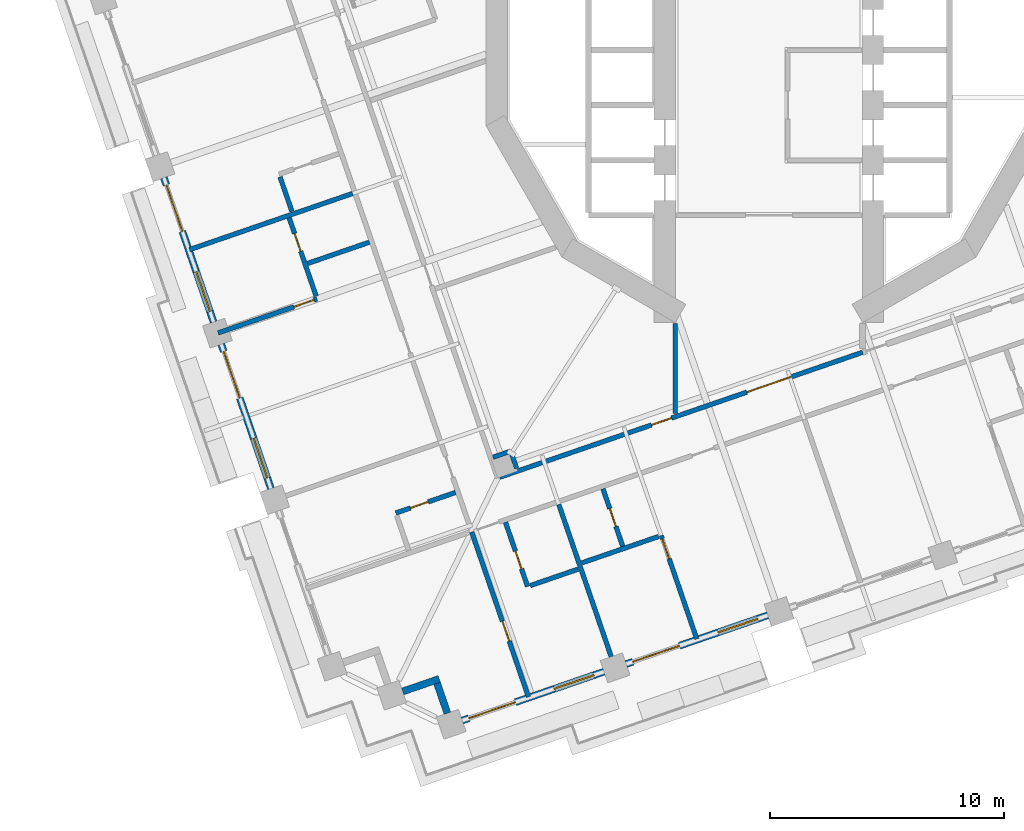
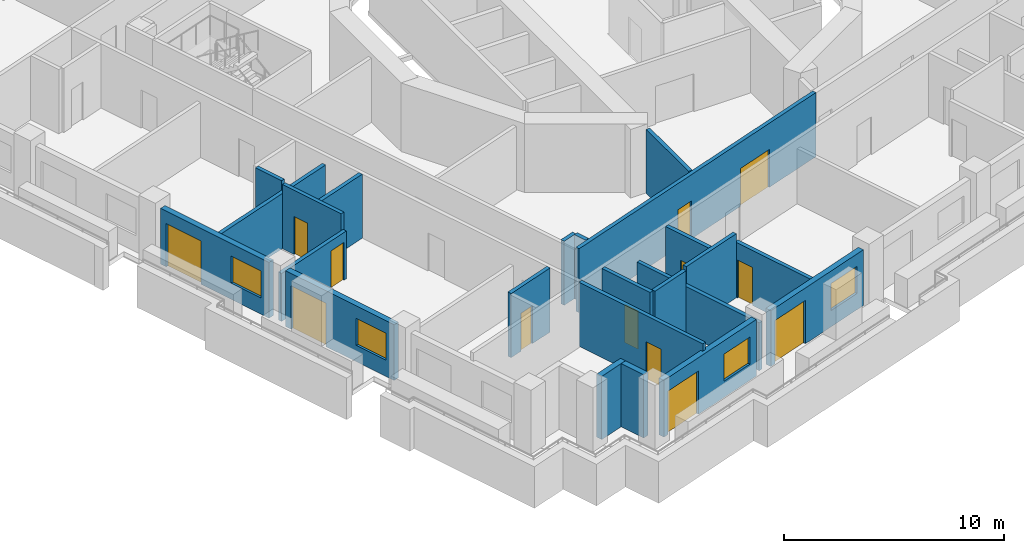
# One storey, part 4 of 18: 23 walls, 13 doors, 4 windows, 17 openings.
"""IFC4 building model written with IfcOpenShell, lengths in metres."""

from ifc_helpers import new_model, si_unit, direction, frame, frame_2d, origin, place, context, subcontext, project, spatial, rectangle, extrude, material, layer, layer_set, type_object, element, fill, save


model = new_model("IFC4")

# Units and contexts
model_context = context("Model", 3, precision=1e-05, world=origin(), true_north=direction((0.0, 1.0)))
body_context = subcontext(model_context, "Body", "Model", "MODEL_VIEW")
ifc_project = project(units=[si_unit("LENGTHUNIT", "METRE"), si_unit("AREAUNIT", "SQUARE_METRE"), si_unit("VOLUMEUNIT", "CUBIC_METRE"), si_unit("PLANEANGLEUNIT", "RADIAN"), si_unit("MASSUNIT", "GRAM", prefix="KILO")], contexts=[model_context])

# Site, building, storey
site_placement = place(None, origin())
site = spatial("IfcSite", under=ifc_project, at=site_placement, CompositionType="ELEMENT")
building_placement = place(site_placement, origin())
building = spatial("IfcBuilding", under=site, at=building_placement, Name="Cantera Rosa Tower", CompositionType="ELEMENT")
storey_placement = place(building_placement, frame((0.0, 0.0, 134.5)))
storey = spatial("IfcBuildingStorey", under=building, at=storey_placement, Name="L28", CompositionType="ELEMENT", Elevation=134.5)

# Wall, openings, doors
ifc_material_1 = material(Name="Gypsum board partition")
ifc_layer_1 = layer(ifc_material_1, 0.199951171875)
ifc_layer_set_1 = layer_set([ifc_layer_1], Name="CORRIDOR WALL 200 H3550")
wall_type_1 = type_object("IfcWallType", Name="CORRIDOR WALL 200 H3550", PredefinedType="PARTITIONING", material=ifc_layer_set_1)
wall_1_placement = place(storey_placement, frame((-11.489501953125, -18.23388671875, 0.0), z_axis=(0.0, 0.0, 1.0), x_axis=(0.945522545762, 0.325556624039, 0.0)))
wall_1 = element("IfcWall", 1, at=wall_1_placement, inside=storey, type_object=wall_type_1, Name="CORRIDOR WALL L28-031", PredefinedType="PARTITIONING", context=body_context, shape_type="SweptSolid", body=[
    extrude(rectangle(XDim=16.3818359375, YDim=0.199951171875, at=frame_2d((8.19091796875, 0.0))), origin(), (0.0, 0.0, 1.0), 3.550048828125),
])
opening_1_placement = place(wall_1_placement, frame((6.850830078125, 0.0, 0.0)))
opening_1 = element("IfcOpeningElement", 2, at=opening_1_placement, cuts=wall_1, Name="Opening L28-007", PredefinedType="OPENING", context=body_context, shape_type="SweptSolid", body=[
    extrude(rectangle(XDim=0.89990234375, YDim=2.10009765625, at=frame_2d((0.449951171875, 1.050048828125))), frame((0.0, 0.10986328125, 0.0), z_axis=(0.0, -1.0, 0.0), x_axis=(1.0, 0.0, 0.0)), (0.0, 0.0, 1.0), 0.219970703125),
])
opening_2_placement = place(wall_1_placement, frame((11.151611328125, 0.0, 0.0)))
opening_2 = element("IfcOpeningElement", 3, at=opening_2_placement, cuts=wall_1, Name="Opening L28-012", PredefinedType="OPENING", context=body_context, shape_type="SweptSolid", body=[
    extrude(rectangle(XDim=2.0, YDim=2.10009765625, at=frame_2d((1.0, 1.050048828125))), frame((0.0, 0.10986328125, 0.0), z_axis=(0.0, -1.0, 0.0), x_axis=(1.0, 0.0, 0.0)), (0.0, 0.0, 1.0), 0.219970703125),
])
ifc_material_2 = material(Name="Steel S355J2 (EN 10025-2)", Category="steel")
door_type_1 = type_object("IfcDoorType", Name="LOBBY SCREEN DOOR 2000x2100", OperationType="NOTDEFINED", PredefinedType="DOOR", material=ifc_material_2)
door_1_placement = place(opening_2_placement, origin())
door_1 = element("IfcDoor", 4, at=door_1_placement, inside=storey, type_object=door_type_1, Name="DOOR L28-012", OperationType="NOTDEFINED", OverallHeight=2.10009765625, OverallWidth=2.0, PredefinedType="DOOR", context=body_context, shape_type="SweptSolid", body=[
    extrude(rectangle(XDim=2.0, YDim=2.10009765625, at=frame_2d((1.0, 1.050048828125))), frame((0.0, 0.02490234375, 0.0), z_axis=(0.0, -1.0, 0.0), x_axis=(1.0, 0.0, 0.0)), (0.0, 0.0, 1.0), 0.050048828125),
])
fill(opening_2, door_1)
ifc_material_3 = material(Name="Timber door leaf", Category="wood")
door_type_2 = type_object("IfcDoorType", Name="SERVICE DOOR 900x2100", OperationType="NOTDEFINED", PredefinedType="DOOR", material=ifc_material_3)
door_2_placement = place(opening_1_placement, origin())
door_2 = element("IfcDoor", 5, at=door_2_placement, inside=storey, type_object=door_type_2, Name="DOOR L28-007", OperationType="NOTDEFINED", OverallHeight=2.10009765625, OverallWidth=0.89990234375, PredefinedType="DOOR", context=body_context, shape_type="SweptSolid", body=[
    extrude(rectangle(XDim=0.89990234375, YDim=2.10009765625, at=frame_2d((0.449951171875, 1.050048828125))), frame((0.0, 0.02490234375, 0.0), z_axis=(0.0, -1.0, 0.0), x_axis=(1.0, 0.0, 0.0)), (0.0, 0.0, 1.0), 0.050048828125),
])
fill(opening_1, door_2)

# Walls
wall_2_placement = place(storey_placement, frame((-4.0, -11.667236328125, 0.0), z_axis=(0.0, 0.0, 1.0), x_axis=(0.0, -1.0, 0.0)))
element("IfcWall", 6, at=wall_2_placement, inside=storey, type_object=wall_type_1, Name="CORRIDOR WALL L28-049", PredefinedType="PARTITIONING", context=body_context, shape_type="SweptSolid", body=[
    extrude(rectangle(XDim=3.847900390625, YDim=0.199951171875, at=frame_2d((1.923828125, 0.0))), origin(), (0.0, 0.0, 1.0), 3.550048828125),
])
ifc_material_4 = material(Name="Hollow clay masonry with cantera stone cladding", Category="masonry")
ifc_layer_2 = layer(ifc_material_4, 0.300048828125)
ifc_layer_set_2 = layer_set([ifc_layer_2], Name="EW-LOGGIA 300")
wall_type_2 = type_object("IfcWallType", Name="EW-LOGGIA 300", PredefinedType="SOLIDWALL", material=ifc_layer_set_2)
wall_3_placement = place(storey_placement, frame((-15.636962890625, -27.3828125, 0.0), z_axis=(0.0, 0.0, 1.0), x_axis=(0.945484566827, 0.325666906351, 0.0)))
element("IfcWall", 7, at=wall_3_placement, inside=storey, type_object=wall_type_2, Name="EN-L28-W22a", PredefinedType="SOLIDWALL", context=body_context, shape_type="SweptSolid", body=[
    extrude(rectangle(XDim=1.64990234375, YDim=0.300048828125, at=frame_2d((0.824951171875, 0.0))), origin(), (0.0, 0.0, 1.0), 3.5),
])
wall_4_placement = place(storey_placement, frame((-14.169921875, -27.0361328125, 0.0), z_axis=(0.0, 0.0, 1.0), x_axis=(0.325650742363, -0.945490134268, 0.0)))
element("IfcWall", 8, at=wall_4_placement, inside=storey, type_object=wall_type_2, Name="EN-L28-W22b", PredefinedType="SOLIDWALL", context=body_context, shape_type="SweptSolid", body=[
    extrude(rectangle(XDim=1.35009765625, YDim=0.300048828125, at=frame_2d((0.675048828125, 0.0))), origin(), (0.0, 0.0, 1.0), 3.5),
])

# Wall, openings, window, door
ifc_material_5 = material(Name="Hollow clay masonry with cantera stone cladding", Category="masonry")
ifc_layer_3 = layer(ifc_material_5, 0.300048828125)
ifc_layer_set_3 = layer_set([ifc_layer_3], Name="EW-LOGGIA 300 H3090")
wall_type_3 = type_object("IfcWallType", Name="EW-LOGGIA 300 H3090", PredefinedType="SOLIDWALL", material=ifc_layer_set_3)
wall_5_placement = place(storey_placement, frame((-25.833984375, -5.447509765625, 0.0), z_axis=(0.0, 0.0, 1.0), x_axis=(0.325580990241, -0.945514155787, 0.0)))
wall_5 = element("IfcWall", 9, at=wall_5_placement, inside=storey, type_object=wall_type_3, Name="EN-L28-W18", PredefinedType="SOLIDWALL", context=body_context, shape_type="SweptSolid", body=[
    extrude(rectangle(XDim=6.52001953125, YDim=0.300048828125, at=frame_2d((3.260009765625, 0.0))), origin(), (0.0, 0.0, 1.0), 3.090087890625),
])
opening_3_placement = place(wall_5_placement, frame((0.330078125, 0.0, 0.0)))
opening_3 = element("IfcOpeningElement", 10, at=opening_3_placement, cuts=wall_5, Name="Opening L28-TD23", PredefinedType="OPENING", context=body_context, shape_type="SweptSolid", body=[
    extrude(rectangle(XDim=2.10009765625, YDim=2.39990234375, at=frame_2d((1.050048828125, 1.199951171875))), frame((0.0, 0.159912109375, 0.0), z_axis=(0.0, -1.0, 0.0), x_axis=(1.0, 0.0, 0.0)), (0.0, 0.0, 1.0), 0.320068359375),
])
opening_4_placement = place(wall_5_placement, frame((4.239990234375, 0.0, 0.89990234375)))
opening_4 = element("IfcOpeningElement", 11, at=opening_4_placement, cuts=wall_5, Name="Opening L28-W24", PredefinedType="OPENING", context=body_context, shape_type="SweptSolid", body=[
    extrude(rectangle(XDim=1.800048828125, YDim=1.5, at=frame_2d((0.89990234375, 0.75))), frame((0.0, 0.159912109375, 0.0), z_axis=(0.0, -1.0, 0.0), x_axis=(1.0, 0.0, 0.0)), (0.0, 0.0, 1.0), 0.320068359375),
])
ifc_material_6 = material(Name="Aluminium frame with clear glass", Category="aluminium")
window_type = type_object("IfcWindowType", Name="Hotel room window 1800x1500", PartitioningType="DOUBLE_PANEL_VERTICAL", PredefinedType="WINDOW", material=ifc_material_6)
window_1_placement = place(opening_4_placement, origin())
window_1 = element("IfcWindow", 12, at=window_1_placement, inside=storey, type_object=window_type, Name="WINDOW L28-W24", OverallHeight=1.5, OverallWidth=1.800048828125, PartitioningType="SINGLE_PANEL", PredefinedType="WINDOW", context=body_context, shape_type="SweptSolid", body=[
    extrude(rectangle(XDim=1.800048828125, YDim=1.5, at=frame_2d((0.89990234375, 0.75))), frame((0.0, 0.030029296875, 0.0), z_axis=(0.0, -1.0, 0.0), x_axis=(1.0, 0.0, 0.0)), (0.0, 0.0, 1.0), 0.06005859375),
])
fill(opening_4, window_1)
ifc_material_7 = material(Name="Aluminium frame with clear glass", Category="aluminium")
door_type_3 = type_object("IfcDoorType", Name="TD-H 2100x2400", OperationType="NOTDEFINED", PredefinedType="DOOR", material=ifc_material_7)
door_3_placement = place(opening_3_placement, origin())
door_3 = element("IfcDoor", 13, at=door_3_placement, inside=storey, type_object=door_type_3, Name="LOGGIA DOOR L28-TD23", OperationType="SLIDING_TO_LEFT", OverallHeight=2.39990234375, OverallWidth=2.10009765625, PredefinedType="DOOR", context=body_context, shape_type="SweptSolid", body=[
    extrude(rectangle(XDim=2.10009765625, YDim=2.39990234375, at=frame_2d((1.050048828125, 1.199951171875))), frame((0.0, 0.02490234375, 0.0), z_axis=(0.0, -1.0, 0.0), x_axis=(1.0, 0.0, 0.0)), (0.0, 0.0, 1.0), 0.050048828125),
])
fill(opening_3, door_3)

wall_6_placement = place(storey_placement, frame((-23.3857421875, -12.557861328125, 0.0), z_axis=(0.0, 0.0, 1.0), x_axis=(0.325580990241, -0.945514155787, 0.0)))
wall_6 = element("IfcWall", 14, at=wall_6_placement, inside=storey, type_object=wall_type_3, Name="EN-L28-W19", PredefinedType="SOLIDWALL", context=body_context, shape_type="SweptSolid", body=[
    extrude(rectangle(XDim=6.52001953125, YDim=0.300048828125, at=frame_2d((3.260009765625, 0.0))), origin(), (0.0, 0.0, 1.0), 3.090087890625),
])
opening_5_placement = place(wall_6_placement, frame((0.330078125, 0.0, 0.0)))
opening_5 = element("IfcOpeningElement", 15, at=opening_5_placement, cuts=wall_6, Name="Opening L28-TD25", PredefinedType="OPENING", context=body_context, shape_type="SweptSolid", body=[
    extrude(rectangle(XDim=2.10009765625, YDim=2.39990234375, at=frame_2d((1.050048828125, 1.199951171875))), frame((0.0, 0.159912109375, 0.0), z_axis=(0.0, -1.0, 0.0), x_axis=(1.0, 0.0, 0.0)), (0.0, 0.0, 1.0), 0.320068359375),
])
opening_6_placement = place(wall_6_placement, frame((4.239990234375, 0.0, 0.89990234375)))
opening_6 = element("IfcOpeningElement", 16, at=opening_6_placement, cuts=wall_6, Name="Opening L28-W26", PredefinedType="OPENING", context=body_context, shape_type="SweptSolid", body=[
    extrude(rectangle(XDim=1.800048828125, YDim=1.5, at=frame_2d((0.89990234375, 0.75))), frame((0.0, 0.159912109375, 0.0), z_axis=(0.0, -1.0, 0.0), x_axis=(1.0, 0.0, 0.0)), (0.0, 0.0, 1.0), 0.320068359375),
])
window_2_placement = place(opening_6_placement, origin())
window_2 = element("IfcWindow", 17, at=window_2_placement, inside=storey, type_object=window_type, Name="WINDOW L28-W26", OverallHeight=1.5, OverallWidth=1.800048828125, PartitioningType="SINGLE_PANEL", PredefinedType="WINDOW", context=body_context, shape_type="SweptSolid", body=[
    extrude(rectangle(XDim=1.800048828125, YDim=1.5, at=frame_2d((0.89990234375, 0.75))), frame((0.0, 0.030029296875, 0.0), z_axis=(0.0, -1.0, 0.0), x_axis=(1.0, 0.0, 0.0)), (0.0, 0.0, 1.0), 0.06005859375),
])
fill(opening_6, window_2)
door_4_placement = place(opening_5_placement, origin())
door_4 = element("IfcDoor", 18, at=door_4_placement, inside=storey, type_object=door_type_3, Name="LOGGIA DOOR L28-TD25", OperationType="SLIDING_TO_LEFT", OverallHeight=2.39990234375, OverallWidth=2.10009765625, PredefinedType="DOOR", context=body_context, shape_type="SweptSolid", body=[
    extrude(rectangle(XDim=2.10009765625, YDim=2.39990234375, at=frame_2d((1.050048828125, 1.199951171875))), frame((0.0, 0.02490234375, 0.0), z_axis=(0.0, -1.0, 0.0), x_axis=(1.0, 0.0, 0.0)), (0.0, 0.0, 1.0), 0.050048828125),
])
fill(opening_5, door_4)

wall_7_placement = place(storey_placement, frame((-6.097900390625, -26.21337890625, 0.0), z_axis=(0.0, 0.0, 1.0), x_axis=(0.945524496524, 0.325550958337, 0.0)))
wall_7 = element("IfcWall", 19, at=wall_7_placement, inside=storey, type_object=wall_type_3, Name="EN-L28-W24", PredefinedType="SOLIDWALL", context=body_context, shape_type="SweptSolid", body=[
    extrude(rectangle(XDim=6.39990234375, YDim=0.300048828125, at=frame_2d((3.199951171875, 0.0))), origin(), (0.0, 0.0, 1.0), 3.090087890625),
])
opening_7_placement = place(wall_7_placement, frame((0.300048828125, 0.0, 0.0)))
opening_7 = element("IfcOpeningElement", 20, at=opening_7_placement, cuts=wall_7, Name="Opening L28-TD31", PredefinedType="OPENING", context=body_context, shape_type="SweptSolid", body=[
    extrude(rectangle(XDim=2.10009765625, YDim=2.39990234375, at=frame_2d((1.050048828125, 1.199951171875))), frame((0.0, 0.159912109375, 0.0), z_axis=(0.0, -1.0, 0.0), x_axis=(1.0, 0.0, 0.0)), (0.0, 0.0, 1.0), 0.320068359375),
])
opening_8_placement = place(wall_7_placement, frame((4.14990234375, 0.0, 0.89990234375)))
opening_8 = element("IfcOpeningElement", 21, at=opening_8_placement, cuts=wall_7, Name="Opening L28-W32", PredefinedType="OPENING", context=body_context, shape_type="SweptSolid", body=[
    extrude(rectangle(XDim=1.800048828125, YDim=1.5, at=frame_2d((0.89990234375, 0.75))), frame((0.0, 0.159912109375, 0.0), z_axis=(0.0, -1.0, 0.0), x_axis=(1.0, 0.0, 0.0)), (0.0, 0.0, 1.0), 0.320068359375),
])
window_3_placement = place(opening_8_placement, origin())
window_3 = element("IfcWindow", 22, at=window_3_placement, inside=storey, type_object=window_type, Name="WINDOW L28-W32", OverallHeight=1.5, OverallWidth=1.800048828125, PartitioningType="SINGLE_PANEL", PredefinedType="WINDOW", context=body_context, shape_type="SweptSolid", body=[
    extrude(rectangle(XDim=1.800048828125, YDim=1.5, at=frame_2d((0.89990234375, 0.75))), frame((0.0, 0.030029296875, 0.0), z_axis=(0.0, -1.0, 0.0), x_axis=(1.0, 0.0, 0.0)), (0.0, 0.0, 1.0), 0.06005859375),
])
fill(opening_8, window_3)
door_5_placement = place(opening_7_placement, origin())
door_5 = element("IfcDoor", 23, at=door_5_placement, inside=storey, type_object=door_type_3, Name="LOGGIA DOOR L28-TD31", OperationType="SLIDING_TO_LEFT", OverallHeight=2.39990234375, OverallWidth=2.10009765625, PredefinedType="DOOR", context=body_context, shape_type="SweptSolid", body=[
    extrude(rectangle(XDim=2.10009765625, YDim=2.39990234375, at=frame_2d((1.050048828125, 1.199951171875))), frame((0.0, 0.02490234375, 0.0), z_axis=(0.0, -1.0, 0.0), x_axis=(1.0, 0.0, 0.0)), (0.0, 0.0, 1.0), 0.050048828125),
])
fill(opening_7, door_5)

ifc_material_8 = material(Name="Hollow clay masonry with cantera stone cladding", Category="masonry")
ifc_layer_4 = layer(ifc_material_8, 0.300048828125)
ifc_layer_set_4 = layer_set([ifc_layer_4], Name="EW-LOGGIA 300 H3140")
wall_type_4 = type_object("IfcWallType", Name="EW-LOGGIA 300 H3140", PredefinedType="SOLIDWALL", material=ifc_layer_set_4)
wall_8_placement = place(storey_placement, frame((-13.0947265625, -28.62255859375, 0.0), z_axis=(0.0, 0.0, 1.0), x_axis=(0.945524496524, 0.325550958337, 0.0)))
wall_8 = element("IfcWall", 24, at=wall_8_placement, inside=storey, type_object=wall_type_4, Name="EN-L28-W23", PredefinedType="SOLIDWALL", context=body_context, shape_type="SweptSolid", body=[
    extrude(rectangle(XDim=6.39990234375, YDim=0.300048828125, at=frame_2d((3.199951171875, 0.0))), origin(), (0.0, 0.0, 1.0), 3.139892578125),
])
opening_9_placement = place(wall_8_placement, frame((0.300048828125, 0.0, 0.0)))
opening_9 = element("IfcOpeningElement", 25, at=opening_9_placement, cuts=wall_8, Name="Opening L28-TD29", PredefinedType="OPENING", context=body_context, shape_type="SweptSolid", body=[
    extrude(rectangle(XDim=2.10009765625, YDim=2.39990234375, at=frame_2d((1.050048828125, 1.199951171875))), frame((0.0, 0.159912109375, 0.0), z_axis=(0.0, -1.0, 0.0), x_axis=(1.0, 0.0, 0.0)), (0.0, 0.0, 1.0), 0.320068359375),
])
opening_10_placement = place(wall_8_placement, frame((4.14990234375, 0.0, 0.89990234375)))
opening_10 = element("IfcOpeningElement", 26, at=opening_10_placement, cuts=wall_8, Name="Opening L28-W30", PredefinedType="OPENING", context=body_context, shape_type="SweptSolid", body=[
    extrude(rectangle(XDim=1.800048828125, YDim=1.5, at=frame_2d((0.89990234375, 0.75))), frame((0.0, 0.159912109375, 0.0), z_axis=(0.0, -1.0, 0.0), x_axis=(1.0, 0.0, 0.0)), (0.0, 0.0, 1.0), 0.320068359375),
])
window_4_placement = place(opening_10_placement, origin())
window_4 = element("IfcWindow", 27, at=window_4_placement, inside=storey, type_object=window_type, Name="WINDOW L28-W30", OverallHeight=1.5, OverallWidth=1.800048828125, PartitioningType="SINGLE_PANEL", PredefinedType="WINDOW", context=body_context, shape_type="SweptSolid", body=[
    extrude(rectangle(XDim=1.800048828125, YDim=1.5, at=frame_2d((0.89990234375, 0.75))), frame((0.0, 0.030029296875, 0.0), z_axis=(0.0, -1.0, 0.0), x_axis=(1.0, 0.0, 0.0)), (0.0, 0.0, 1.0), 0.06005859375),
])
fill(opening_10, window_4)
door_6_placement = place(opening_9_placement, origin())
door_6 = element("IfcDoor", 28, at=door_6_placement, inside=storey, type_object=door_type_3, Name="LOGGIA DOOR L28-TD29", OperationType="SLIDING_TO_LEFT", OverallHeight=2.39990234375, OverallWidth=2.10009765625, PredefinedType="DOOR", context=body_context, shape_type="SweptSolid", body=[
    extrude(rectangle(XDim=2.10009765625, YDim=2.39990234375, at=frame_2d((1.050048828125, 1.199951171875))), frame((0.0, 0.02490234375, 0.0), z_axis=(0.0, -1.0, 0.0), x_axis=(1.0, 0.0, 0.0)), (0.0, 0.0, 1.0), 0.050048828125),
])
fill(opening_9, door_6)

# Wall, opening, door
ifc_material_9 = material(Name="Gypsum board partition")
ifc_layer_5 = layer(ifc_material_9, 0.199951171875)
ifc_layer_set_5 = layer_set([ifc_layer_5], Name="PARTITION 200 H2650")
wall_type_5 = type_object("IfcWallType", Name="PARTITION 200 H2650", PredefinedType="PARTITIONING", material=ifc_layer_set_5)
wall_9_placement = place(storey_placement, frame((-19.293701171875, -10.6201171875, 0.0), z_axis=(0.0, 0.0, 1.0), x_axis=(-0.945529593347, -0.325536154835, 0.0)))
wall_9 = element("IfcWall", 29, at=wall_9_placement, inside=storey, type_object=wall_type_5, Name="PARTITION L28-014", PredefinedType="PARTITIONING", context=body_context, shape_type="SweptSolid", body=[
    extrude(rectangle(XDim=4.4697265625, YDim=0.199951171875, at=frame_2d((2.23486328125, 0.0))), origin(), (0.0, 0.0, 1.0), 2.64990234375),
])
opening_11_placement = place(wall_9_placement, frame((0.14990234375, 0.0, 0.0)))
opening_11 = element("IfcOpeningElement", 30, at=opening_11_placement, cuts=wall_9, Name="Opening L28-035", PredefinedType="OPENING", context=body_context, shape_type="SweptSolid", body=[
    extrude(rectangle(XDim=0.89990234375, YDim=2.10009765625, at=frame_2d((0.449951171875, 1.050048828125))), frame((0.0, 0.10986328125, 0.0), z_axis=(0.0, -1.0, 0.0), x_axis=(1.0, 0.0, 0.0)), (0.0, 0.0, 1.0), 0.219970703125),
])
ifc_material_10 = material(Name="Timber door leaf", Category="wood")
door_type_4 = type_object("IfcDoorType", Name="ROOM DOOR 900x2100", OperationType="NOTDEFINED", PredefinedType="DOOR", material=ifc_material_10)
door_7_placement = place(opening_11_placement, origin())
door_7 = element("IfcDoor", 31, at=door_7_placement, inside=storey, type_object=door_type_4, Name="DOOR L28-035", OperationType="NOTDEFINED", OverallHeight=2.10009765625, OverallWidth=0.89990234375, PredefinedType="DOOR", context=body_context, shape_type="SweptSolid", body=[
    extrude(rectangle(XDim=0.89990234375, YDim=2.10009765625, at=frame_2d((0.449951171875, 1.050048828125))), frame((0.0, 0.02490234375, 0.0), z_axis=(0.0, -1.0, 0.0), x_axis=(1.0, 0.0, 0.0)), (0.0, 0.0, 1.0), 0.050048828125),
])
fill(opening_11, door_7)

ifc_material_11 = material(Name="Gypsum board partition")
ifc_layer_6 = layer(ifc_material_11, 0.199951171875)
ifc_layer_set_6 = layer_set([ifc_layer_6], Name="PARTITION 200 H3050")
wall_type_6 = type_object("IfcWallType", Name="PARTITION 200 H3050", PredefinedType="PARTITIONING", material=ifc_layer_set_6)
wall_10_placement = place(storey_placement, frame((-4.6025390625, -20.727783203125, 0.0), z_axis=(0.0, 0.0, 1.0), x_axis=(0.325591092398, -0.945510677122, 0.0)))
wall_10 = element("IfcWall", 32, at=wall_10_placement, inside=storey, type_object=wall_type_6, Name="PARTITION L28-048", PredefinedType="PARTITIONING", context=body_context, shape_type="SweptSolid", body=[
    extrude(rectangle(XDim=4.669921875, YDim=0.199951171875, at=frame_2d((2.3349609375, 0.0))), origin(), (0.0, 0.0, 1.0), 3.050048828125),
])
opening_12_placement = place(wall_10_placement, frame((0.14990234375, 0.0, 0.0)))
opening_12 = element("IfcOpeningElement", 33, at=opening_12_placement, cuts=wall_10, Name="Opening L28-041", PredefinedType="OPENING", context=body_context, shape_type="SweptSolid", body=[
    extrude(rectangle(XDim=0.89990234375, YDim=2.10009765625, at=frame_2d((0.449951171875, 1.050048828125))), frame((0.0, 0.10986328125, 0.0), z_axis=(0.0, -1.0, 0.0), x_axis=(1.0, 0.0, 0.0)), (0.0, 0.0, 1.0), 0.219970703125),
])
door_8_placement = place(opening_12_placement, origin())
door_8 = element("IfcDoor", 34, at=door_8_placement, inside=storey, type_object=door_type_4, Name="DOOR L28-041", OperationType="NOTDEFINED", OverallHeight=2.10009765625, OverallWidth=0.89990234375, PredefinedType="DOOR", context=body_context, shape_type="SweptSolid", body=[
    extrude(rectangle(XDim=0.89990234375, YDim=2.10009765625, at=frame_2d((0.449951171875, 1.050048828125))), frame((0.0, 0.02490234375, 0.0), z_axis=(0.0, -1.0, 0.0), x_axis=(1.0, 0.0, 0.0)), (0.0, 0.0, 1.0), 0.050048828125),
])
fill(opening_12, door_8)

ifc_material_12 = material(Name="Gypsum board partition")
ifc_layer_7 = layer(ifc_material_12, 0.199951171875)
ifc_layer_set_7 = layer_set([ifc_layer_7], Name="PARTITION 200 H3550")
wall_type_7 = type_object("IfcWallType", Name="PARTITION 200 H3550", PredefinedType="PARTITIONING", material=ifc_layer_set_7)
wall_11_placement = place(storey_placement, frame((-20.485107421875, -7.159423828125, 0.0), z_axis=(0.0, 0.0, 1.0), x_axis=(0.325523047431, -0.945534105991, 0.0)))
wall_11 = element("IfcWall", 35, at=wall_11_placement, inside=storey, type_object=wall_type_7, Name="PARTITION L28-006", PredefinedType="PARTITIONING", context=body_context, shape_type="SweptSolid", body=[
    extrude(rectangle(XDim=3.5400390625, YDim=0.199951171875, at=frame_2d((1.77001953125, 0.0))), origin(), (0.0, 0.0, 1.0), 3.550048828125),
])
opening_13_placement = place(wall_11_placement, frame((0.7099609375, 0.0, 0.0)))
opening_13 = element("IfcOpeningElement", 36, at=opening_13_placement, cuts=wall_11, Name="Opening L28-036", PredefinedType="OPENING", context=body_context, shape_type="SweptSolid", body=[
    extrude(rectangle(XDim=0.800048828125, YDim=2.10009765625, at=frame_2d((0.39990234375, 1.050048828125))), frame((0.0, 0.10986328125, 0.0), z_axis=(0.0, -1.0, 0.0), x_axis=(1.0, 0.0, 0.0)), (0.0, 0.0, 1.0), 0.219970703125),
])
ifc_material_13 = material(Name="Timber door leaf", Category="wood")
door_type_5 = type_object("IfcDoorType", Name="BATHROOM DOOR 800x2100", OperationType="NOTDEFINED", PredefinedType="DOOR", material=ifc_material_13)
door_9_placement = place(opening_13_placement, origin())
door_9 = element("IfcDoor", 37, at=door_9_placement, inside=storey, type_object=door_type_5, Name="DOOR L28-036", OperationType="NOTDEFINED", OverallHeight=2.10009765625, OverallWidth=0.800048828125, PredefinedType="DOOR", context=body_context, shape_type="SweptSolid", body=[
    extrude(rectangle(XDim=0.800048828125, YDim=2.10009765625, at=frame_2d((0.39990234375, 1.050048828125))), frame((0.0, 0.02490234375, 0.0), z_axis=(0.0, -1.0, 0.0), x_axis=(1.0, 0.0, 0.0)), (0.0, 0.0, 1.0), 0.050048828125),
])
fill(opening_13, door_9)

# Walls
wall_12_placement = place(storey_placement, frame((-20.36767578125, -6.88623046875, 0.0), z_axis=(0.0, 0.0, 1.0), x_axis=(-0.325508352099, 0.945539165087, 0.0)))
element("IfcWall", 38, at=wall_12_placement, inside=storey, type_object=wall_type_7, Name="PARTITION L28-008", PredefinedType="PARTITIONING", context=body_context, shape_type="SweptSolid", body=[
    extrude(rectangle(XDim=1.56005859375, YDim=0.199951171875, at=frame_2d((0.780029296875, 0.0))), origin(), (0.0, 0.0, 1.0), 3.550048828125),
])
wall_13_placement = place(storey_placement, frame((-17.0595703125, -8.20068359375, 0.0), z_axis=(0.0, 0.0, 1.0), x_axis=(-0.945515586558, -0.325576835135, 0.0)))
element("IfcWall", 39, at=wall_13_placement, inside=storey, type_object=wall_type_7, Name="PARTITION L28-021", PredefinedType="PARTITIONING", context=body_context, shape_type="SweptSolid", body=[
    extrude(rectangle(XDim=2.800048828125, YDim=0.199951171875, at=frame_2d((1.39990234375, 0.0))), origin(), (0.0, 0.0, 1.0), 3.550048828125),
])

# Wall, opening, door
wall_14_placement = place(storey_placement, frame((-15.93359375, -19.76416015625, 0.0), z_axis=(0.0, 0.0, 1.0), x_axis=(0.945536217154, 0.325516915153, 0.0)))
wall_14 = element("IfcWall", 40, at=wall_14_placement, inside=storey, type_object=wall_type_7, Name="PARTITION L28-023", PredefinedType="PARTITIONING", context=body_context, shape_type="SweptSolid", body=[
    extrude(rectangle(XDim=2.699951171875, YDim=0.199951171875, at=frame_2d((1.35009765625, 0.0))), origin(), (0.0, 0.0, 1.0), 3.550048828125),
])
opening_14_placement = place(wall_14_placement, frame((0.6640625, 0.0, 0.0)))
opening_14 = element("IfcOpeningElement", 41, at=opening_14_placement, cuts=wall_14, Name="Opening L28-038", PredefinedType="OPENING", context=body_context, shape_type="SweptSolid", body=[
    extrude(rectangle(XDim=0.800048828125, YDim=2.10009765625, at=frame_2d((0.39990234375, 1.050048828125))), frame((0.0, 0.10986328125, 0.0), z_axis=(0.0, -1.0, 0.0), x_axis=(1.0, 0.0, 0.0)), (0.0, 0.0, 1.0), 0.219970703125),
])
door_10_placement = place(opening_14_placement, origin())
door_10 = element("IfcDoor", 42, at=door_10_placement, inside=storey, type_object=door_type_5, Name="DOOR L28-038", OperationType="NOTDEFINED", OverallHeight=2.10009765625, OverallWidth=0.800048828125, PredefinedType="DOOR", context=body_context, shape_type="SweptSolid", body=[
    extrude(rectangle(XDim=0.800048828125, YDim=2.10009765625, at=frame_2d((0.39990234375, 1.050048828125))), frame((0.0, 0.02490234375, 0.0), z_axis=(0.0, -1.0, 0.0), x_axis=(1.0, 0.0, 0.0)), (0.0, 0.0, 1.0), 0.050048828125),
])
fill(opening_14, door_10)

wall_15_placement = place(storey_placement, frame((-12.693603515625, -20.573486328125, 0.0), z_axis=(0.0, 0.0, 1.0), x_axis=(0.325571534525, -0.945517411742, 0.0)))
wall_15 = element("IfcWall", 43, at=wall_15_placement, inside=storey, type_object=wall_type_7, Name="PARTITION L28-028", PredefinedType="PARTITIONING", context=body_context, shape_type="SweptSolid", body=[
    extrude(rectangle(XDim=7.4501953125, YDim=0.199951171875, at=frame_2d((3.72509765625, 0.0))), origin(), (0.0, 0.0, 1.0), 3.550048828125),
])
opening_15_placement = place(wall_15_placement, frame((4.030029296875, 0.0, 0.0)))
opening_15 = element("IfcOpeningElement", 44, at=opening_15_placement, cuts=wall_15, Name="Opening L28-050", PredefinedType="OPENING", context=body_context, shape_type="SweptSolid", body=[
    extrude(rectangle(XDim=0.89990234375, YDim=2.10009765625, at=frame_2d((0.449951171875, 1.050048828125))), frame((0.0, 0.10986328125, 0.0), z_axis=(0.0, -1.0, 0.0), x_axis=(1.0, 0.0, 0.0)), (0.0, 0.0, 1.0), 0.219970703125),
])
door_11_placement = place(opening_15_placement, origin())
door_11 = element("IfcDoor", 45, at=door_11_placement, inside=storey, type_object=door_type_4, Name="DOOR L28-050", OperationType="NOTDEFINED", OverallHeight=2.10009765625, OverallWidth=0.89990234375, PredefinedType="DOOR", context=body_context, shape_type="SweptSolid", body=[
    extrude(rectangle(XDim=0.89990234375, YDim=2.10009765625, at=frame_2d((0.449951171875, 1.050048828125))), frame((0.0, 0.02490234375, 0.0), z_axis=(0.0, -1.0, 0.0), x_axis=(1.0, 0.0, 0.0)), (0.0, 0.0, 1.0), 0.050048828125),
])
fill(opening_15, door_11)

# Walls
wall_16_placement = place(storey_placement, frame((-11.026123046875, -17.12255859375, 0.0), z_axis=(0.0, 0.0, 1.0), x_axis=(-0.945525269499, -0.325548713312, 0.0)))
element("IfcWall", 46, at=wall_16_placement, inside=storey, type_object=wall_type_7, Name="PARTITION L28-032", PredefinedType="PARTITIONING", context=body_context, shape_type="SweptSolid", body=[
    extrude(rectangle(XDim=0.80029296875, YDim=0.199951171875, at=frame_2d((0.400146484375, 0.0))), origin(), (0.0, 0.0, 1.0), 3.550048828125),
])
wall_17_placement = place(storey_placement, frame((-10.772216796875, -17.860107421875, 0.0), z_axis=(0.0, 0.0, 1.0), x_axis=(-0.325691873105, 0.945475966798, 0.0)))
element("IfcWall", 47, at=wall_17_placement, inside=storey, type_object=wall_type_7, Name="PARTITION L28-033", PredefinedType="PARTITIONING", context=body_context, shape_type="SweptSolid", body=[
    extrude(rectangle(XDim=0.679931640625, YDim=0.199951171875, at=frame_2d((0.33984375, 0.0))), origin(), (0.0, 0.0, 1.0), 3.550048828125),
])

# Wall, opening, door
wall_18_placement = place(storey_placement, frame((-10.304931640625, -22.90283203125, 0.0), z_axis=(0.0, 0.0, 1.0), x_axis=(-0.325632622122, 0.945496375144, 0.0)))
wall_18 = element("IfcWall", 48, at=wall_18_placement, inside=storey, type_object=wall_type_7, Name="PARTITION L28-034", PredefinedType="PARTITIONING", context=body_context, shape_type="SweptSolid", body=[
    extrude(rectangle(XDim=2.89990234375, YDim=0.199951171875, at=frame_2d((1.449951171875, 0.0))), origin(), (0.0, 0.0, 1.0), 3.550048828125),
])
opening_16_placement = place(wall_18_placement, frame((0.800048828125, 0.0, 0.0)))
opening_16 = element("IfcOpeningElement", 49, at=opening_16_placement, cuts=wall_18, Name="Opening L28-049", PredefinedType="OPENING", context=body_context, shape_type="SweptSolid", body=[
    extrude(rectangle(XDim=0.800048828125, YDim=2.10009765625, at=frame_2d((0.39990234375, 1.050048828125))), frame((0.0, 0.10986328125, 0.0), z_axis=(0.0, -1.0, 0.0), x_axis=(1.0, 0.0, 0.0)), (0.0, 0.0, 1.0), 0.219970703125),
])
door_12_placement = place(opening_16_placement, origin())
door_12 = element("IfcDoor", 50, at=door_12_placement, inside=storey, type_object=door_type_5, Name="DOOR L28-049", OperationType="NOTDEFINED", OverallHeight=2.10009765625, OverallWidth=0.800048828125, PredefinedType="DOOR", context=body_context, shape_type="SweptSolid", body=[
    extrude(rectangle(XDim=0.800048828125, YDim=2.10009765625, at=frame_2d((0.39990234375, 1.050048828125))), frame((0.0, 0.02490234375, 0.0), z_axis=(0.0, -1.0, 0.0), x_axis=(1.0, 0.0, 0.0)), (0.0, 0.0, 1.0), 0.050048828125),
])
fill(opening_16, door_12)

# Wall
wall_19_placement = place(storey_placement, frame((-8.149169921875, -22.160400390625, 0.0), z_axis=(0.0, 0.0, 1.0), x_axis=(-0.945506217839, -0.325604041787, 0.0)))
element("IfcWall", 51, at=wall_19_placement, inside=storey, type_object=wall_type_7, Name="PARTITION L28-036", PredefinedType="PARTITIONING", context=body_context, shape_type="SweptSolid", body=[
    extrude(rectangle(XDim=2.16015625, YDim=0.199951171875, at=frame_2d((1.080078125, 0.0))), origin(), (0.0, 0.0, 1.0), 3.550048828125),
])

# Wall, opening, door
wall_20_placement = place(storey_placement, frame((-7.0888671875, -18.728271484375, 0.0), z_axis=(0.0, 0.0, 1.0), x_axis=(0.325565238158, -0.945519579757, 0.0)))
wall_20 = element("IfcWall", 52, at=wall_20_placement, inside=storey, type_object=wall_type_7, Name="PARTITION L28-044", PredefinedType="PARTITIONING", context=body_context, shape_type="SweptSolid", body=[
    extrude(rectangle(XDim=2.599853515625, YDim=0.199951171875, at=frame_2d((1.2998046875, 0.0))), origin(), (0.0, 0.0, 1.0), 3.550048828125),
])
opening_17_placement = place(wall_20_placement, frame((0.89990234375, 0.0, 0.0)))
opening_17 = element("IfcOpeningElement", 53, at=opening_17_placement, cuts=wall_20, Name="Opening L28-040", PredefinedType="OPENING", context=body_context, shape_type="SweptSolid", body=[
    extrude(rectangle(XDim=0.800048828125, YDim=2.10009765625, at=frame_2d((0.39990234375, 1.050048828125))), frame((0.0, 0.10986328125, 0.0), z_axis=(0.0, -1.0, 0.0), x_axis=(1.0, 0.0, 0.0)), (0.0, 0.0, 1.0), 0.219970703125),
])
door_13_placement = place(opening_17_placement, origin())
door_13 = element("IfcDoor", 54, at=door_13_placement, inside=storey, type_object=door_type_5, Name="DOOR L28-040", OperationType="NOTDEFINED", OverallHeight=2.10009765625, OverallWidth=0.800048828125, PredefinedType="DOOR", context=body_context, shape_type="SweptSolid", body=[
    extrude(rectangle(XDim=0.800048828125, YDim=2.10009765625, at=frame_2d((0.39990234375, 1.050048828125))), frame((0.0, 0.02490234375, 0.0), z_axis=(0.0, -1.0, 0.0), x_axis=(1.0, 0.0, 0.0)), (0.0, 0.0, 1.0), 0.050048828125),
])
fill(opening_17, door_13)

# Walls
wall_21_placement = place(storey_placement, frame((-4.7158203125, -20.766845703125, 0.0), z_axis=(0.0, 0.0, 1.0), x_axis=(-0.945518358783, -0.325568784136, 0.0)))
element("IfcWall", 55, at=wall_21_placement, inside=storey, type_object=wall_type_7, Name="PARTITION L28-047", PredefinedType="PARTITIONING", context=body_context, shape_type="SweptSolid", body=[
    extrude(rectangle(XDim=3.4599609375, YDim=0.199951171875, at=frame_2d((1.72998046875, 0.0))), origin(), (0.0, 0.0, 1.0), 3.550048828125),
])
ifc_material_14 = material(Name="Gypsum board partition")
ifc_layer_8 = layer(ifc_material_14, 0.199951171875)
ifc_layer_set_8 = layer_set([ifc_layer_8], Name="PARTY WALL 200 H2650")
wall_type_8 = type_object("IfcWallType", Name="PARTY WALL 200 H2650", PredefinedType="PARTITIONING", material=ifc_layer_set_8)
wall_22_placement = place(storey_placement, frame((-6.58056640625, -26.347900390625, 0.0), z_axis=(0.0, 0.0, 1.0), x_axis=(-0.325549451152, 0.945525015457, 0.0)))
element("IfcWall", 56, at=wall_22_placement, inside=storey, type_object=wall_type_8, Name="PARTY WALL L28-045", PredefinedType="PARTITIONING", context=body_context, shape_type="SweptSolid", body=[
    extrude(rectangle(XDim=7.35009765625, YDim=0.199951171875, at=frame_2d((3.675048828125, 0.0))), origin(), (0.0, 0.0, 1.0), 2.64990234375),
])
ifc_material_15 = material(Name="Gypsum board partition")
ifc_layer_9 = layer(ifc_material_15, 0.199951171875)
ifc_layer_set_9 = layer_set([ifc_layer_9], Name="PARTY WALL 200 H3050")
wall_type_9 = type_object("IfcWallType", Name="PARTY WALL 200 H3050", PredefinedType="PARTITIONING", material=ifc_layer_set_9)
wall_23_placement = place(storey_placement, frame((-17.775634765625, -6.12060546875, 0.0), z_axis=(0.0, 0.0, 1.0), x_axis=(-0.945520034471, -0.325563917555, 0.0)))
element("IfcWall", 57, at=wall_23_placement, inside=storey, type_object=wall_type_9, Name="PARTY WALL L28-020", PredefinedType="PARTITIONING", context=body_context, shape_type="SweptSolid", body=[
    extrude(rectangle(XDim=7.3701171875, YDim=0.199951171875, at=frame_2d((3.68505859375, 0.0))), origin(), (0.0, 0.0, 1.0), 3.050048828125),
])

save(model, "model.ifc")
